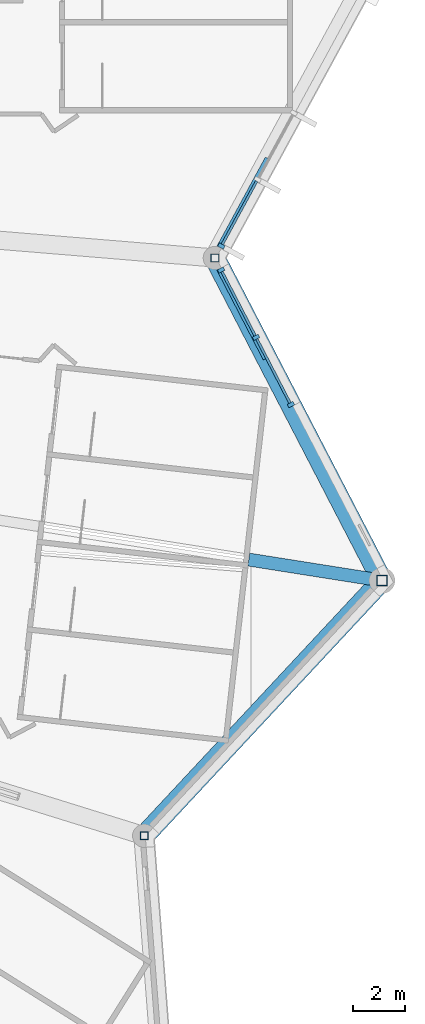
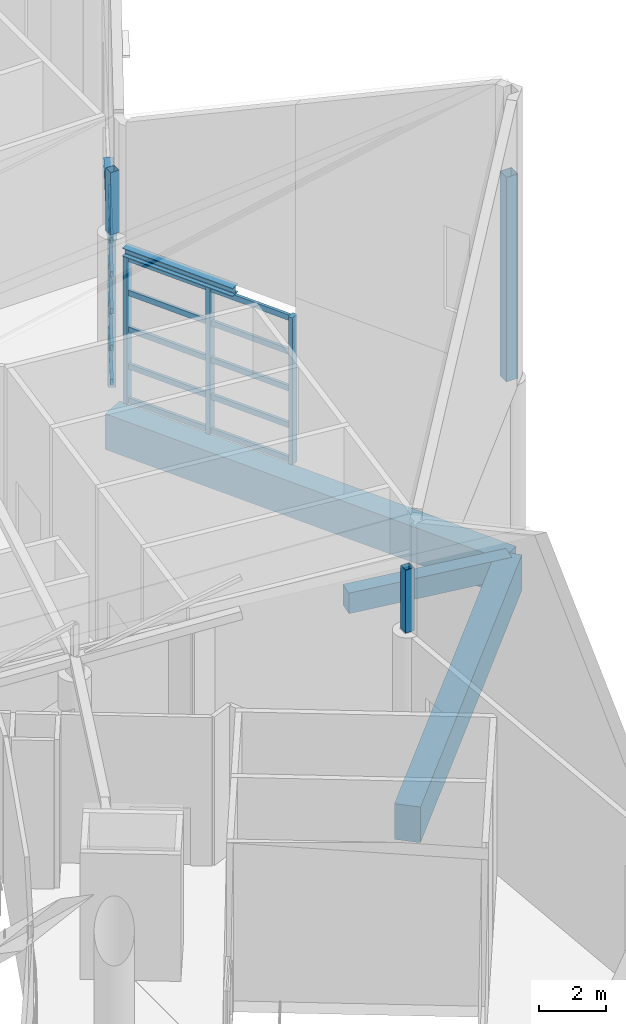
# One storey, part 96 of 344: 22 members, 5 beams, 2 elements without a shape of their own.
"""IFC4 building model written with IfcOpenShell, lengths in metres."""

from ifc_helpers import new_model, si_unit, direction, frame, origin, origin_2d, place, context, subcontext, project, spatial, rectangle, hollow_rectangle, i_section, extrude, material, layer, layer_set, material_profile, profile_set, type_object, element, aggregate, save


model = new_model("IFC4")

# Units and contexts
model_context = context("Model", 3, precision=1e-05, world=origin(), true_north=direction((0.0, 1.0)))
body_context = subcontext(model_context, "Body", "Model", "MODEL_VIEW")
ifc_project = project(units=[si_unit("LENGTHUNIT", "METRE"), si_unit("AREAUNIT", "SQUARE_METRE"), si_unit("VOLUMEUNIT", "CUBIC_METRE"), si_unit("PLANEANGLEUNIT", "RADIAN"), si_unit("MASSUNIT", "GRAM", prefix="KILO")], contexts=[model_context])

# Site, building, storey
site_placement = place(None, origin())
site = spatial("IfcSite", under=ifc_project, at=site_placement, CompositionType="ELEMENT")
building_placement = place(site_placement, origin())
building = spatial("IfcBuilding", under=site, at=building_placement, Name="Meseta Stadium", CompositionType="ELEMENT")
storey_placement = place(building_placement, frame((0.0, 0.0, 24.0)))
storey = spatial("IfcBuildingStorey", under=building, at=storey_placement, Name="L04", CompositionType="ELEMENT", Elevation=24.0)

# Beams
ifc_material_1 = material(Name="Steel S355", Category="steel")
ifc_material_profile_1 = material_profile(ifc_material_1, i_section(OverallWidth=0.300048828125, OverallDepth=0.300048828125, WebThickness=0.010986328125, FlangeThickness=0.01904296875, FilletRadius=0.027099609375, at=origin_2d()), Name="HEB 300")
ifc_profile_set_1 = profile_set([ifc_material_profile_1], Name="Steel S355")
beam_type_1 = type_object("IfcBeamType", Name="Atrium lintel beam HEB 300", PredefinedType="BEAM", material=ifc_profile_set_1)
beam_1_placement = place(storey_placement, frame((94.806884765625, -44.1494140625, 5.5), z_axis=(0.460037579382, -0.887899445633, 0.0), x_axis=(0.887899445633, 0.460037579382, 0.0)))
element("IfcBeam", 1, at=beam_1_placement, inside=storey, type_object=beam_type_1, Name="Atrium lintel beam F00", PredefinedType="BEAM", context=body_context, shape_type="SweptSolid", body=[
    extrude(i_section(OverallWidth=0.300048828125, OverallDepth=0.300048828125, WebThickness=0.010986328125, FlangeThickness=0.01904296875, FilletRadius=0.027099609375, at=origin_2d()), origin(), (0.0, 0.0, 1.0), 3.900146484375),
])
beam_2_placement = place(storey_placement, frame((94.81494140625, -43.354736328125, 5.5), z_axis=(0.47789568686, 0.878416593924, 0.0), x_axis=(-0.878416593924, 0.47789568686, 0.0)))
element("IfcBeam", 2, at=beam_2_placement, inside=storey, type_object=beam_type_1, Name="Atrium lintel beam F01", PredefinedType="BEAM", context=body_context, shape_type="SweptSolid", body=[
    extrude(i_section(OverallWidth=0.300048828125, OverallDepth=0.300048828125, WebThickness=0.010986328125, FlangeThickness=0.01904296875, FilletRadius=0.027099609375, at=origin_2d()), origin(), (0.0, 0.0, 1.0), 3.89990234375),
])

# Curtain wall, members
ifc_material_2 = material(Name="Steel S355", Category="steel")
ifc_layer = layer(ifc_material_2, 0.300048828125)
ifc_layer_set = layer_set([ifc_layer], Name="Valley atrium curtain wall")
curtain_wall_type = type_object("IfcCurtainWallType", Name="Valley atrium curtain wall", PredefinedType="NOTDEFINED", material=ifc_layer_set)
curtain_wall_1_placement = place(storey_placement, origin())
curtain_wall_1 = element("IfcCurtainWall", 3, at=curtain_wall_1_placement, inside=storey, type_object=curtain_wall_type, Name="Valley atrium glazing F00", PredefinedType="NOTDEFINED")
ifc_material_3 = material(Name="Steel S355", Category="steel")
ifc_material_profile_2 = material_profile(ifc_material_3, rectangle(XDim=0.25, YDim=0.14990234375, at=origin_2d()), Name="CW 250x150")
ifc_profile_set_2 = profile_set([ifc_material_profile_2], Name="Steel S355")
member_type_1 = type_object("IfcMemberType", Name="CW mullion bar 250x150", PredefinedType="MULLION", material=ifc_profile_set_2)
member_1_placement = place(storey_placement, frame((97.532470703125, -49.41015625, 0.0), z_axis=(0.0, 0.0, 1.0), x_axis=(-0.887910877066, -0.460015515377, 0.0)))
member_1 = element("IfcMember", 4, at=member_1_placement, type_object=member_type_1, Name="CWA mullion 1", PredefinedType="MULLION", context=body_context, shape_type="SweptSolid", body=[
    extrude(rectangle(XDim=0.25, YDim=0.14990234375, at=origin_2d()), origin(), (0.0, 0.0, 1.0), 5.35009765625),
])
member_2_placement = place(storey_placement, frame((96.18701171875, -46.81298828125, 0.0), z_axis=(0.0, 0.0, 1.0), x_axis=(-0.887910877066, -0.460015515377, 0.0)))
member_2 = element("IfcMember", 5, at=member_2_placement, type_object=member_type_1, Name="CWA mullion 2", PredefinedType="MULLION", context=body_context, shape_type="SweptSolid", body=[
    extrude(rectangle(XDim=0.25, YDim=0.14990234375, at=origin_2d()), origin(), (0.0, 0.0, 1.0), 5.35009765625),
])
member_3_placement = place(storey_placement, frame((94.84130859375, -44.2158203125, 0.0), z_axis=(0.0, 0.0, 1.0), x_axis=(-0.887910877066, -0.460015515377, 0.0)))
member_3 = element("IfcMember", 6, at=member_3_placement, type_object=member_type_1, Name="CWA mullion 3", PredefinedType="MULLION", context=body_context, shape_type="SweptSolid", body=[
    extrude(rectangle(XDim=0.25, YDim=0.14990234375, at=origin_2d()), origin(), (0.0, 0.0, 1.0), 5.35009765625),
])

# Curtain wall, member
curtain_wall_2_placement = place(storey_placement, origin())
curtain_wall_2 = element("IfcCurtainWall", 7, at=curtain_wall_2_placement, inside=storey, type_object=curtain_wall_type, Name="Valley atrium glazing F01", PredefinedType="NOTDEFINED")
member_4_placement = place(storey_placement, frame((94.850830078125, -43.2890625, 0.0), z_axis=(0.0, 0.0, 1.0), x_axis=(-0.8784321511, 0.477867090218, 0.0)))
member_4 = element("IfcMember", 8, at=member_4_placement, type_object=member_type_1, Name="CWA mullion 1", PredefinedType="MULLION", context=body_context, shape_type="SweptSolid", body=[
    extrude(rectangle(XDim=0.25, YDim=0.14990234375, at=origin_2d()), origin(), (0.0, 0.0, 1.0), 5.35009765625),
])

# Member
ifc_material_4 = material(Name="Steel S355", Category="steel")
ifc_material_profile_3 = material_profile(ifc_material_4, hollow_rectangle(XDim=0.10009765625, YDim=0.199951171875, WallThickness=0.008056640625, at=origin_2d()), Name="RHS 200x100x8")
ifc_profile_set_3 = profile_set([ifc_material_profile_3], Name="Steel S355")
member_type_2 = type_object("IfcMemberType", Name="CW transom RHS 200x100x8", PredefinedType="USERDEFINED", material=ifc_profile_set_3)
member_5_placement = place(storey_placement, frame((97.498046875, -49.343505859375, 0.10009765625), z_axis=(-0.460047496365, 0.887894307386, 0.0), x_axis=(-0.887894307386, -0.460047496365, 0.0)))
member_5 = element("IfcMember", 9, at=member_5_placement, type_object=member_type_2, Name="CWA transom 1.1", ObjectType="TRANSOM", PredefinedType="USERDEFINED", context=body_context, shape_type="SweptSolid", body=[
    extrude(hollow_rectangle(XDim=0.10009765625, YDim=0.199951171875, WallThickness=0.008056640625, at=origin_2d()), origin(), (0.0, 0.0, 1.0), 2.77490234375),
])

member_6_placement = place(storey_placement, frame((97.498046875, -49.343505859375, 1.33740234375), z_axis=(-0.460047496365, 0.887894307386, 0.0), x_axis=(-0.887894307386, -0.460047496365, 0.0)))
member_6 = element("IfcMember", 10, at=member_6_placement, type_object=member_type_2, Name="CWA transom 1.2", ObjectType="TRANSOM", PredefinedType="USERDEFINED", context=body_context, shape_type="SweptSolid", body=[
    extrude(hollow_rectangle(XDim=0.10009765625, YDim=0.199951171875, WallThickness=0.008056640625, at=origin_2d()), origin(), (0.0, 0.0, 1.0), 2.77490234375),
])

member_7_placement = place(storey_placement, frame((97.498046875, -49.343505859375, 2.675048828125), z_axis=(-0.460047496365, 0.887894307386, 0.0), x_axis=(-0.887894307386, -0.460047496365, 0.0)))
member_7 = element("IfcMember", 11, at=member_7_placement, type_object=member_type_2, Name="CWA transom 1.3", ObjectType="TRANSOM", PredefinedType="USERDEFINED", context=body_context, shape_type="SweptSolid", body=[
    extrude(hollow_rectangle(XDim=0.10009765625, YDim=0.199951171875, WallThickness=0.008056640625, at=origin_2d()), origin(), (0.0, 0.0, 1.0), 2.77490234375),
])

member_8_placement = place(storey_placement, frame((97.498046875, -49.343505859375, 4.012451171875), z_axis=(-0.460047496365, 0.887894307386, 0.0), x_axis=(-0.887894307386, -0.460047496365, 0.0)))
member_8 = element("IfcMember", 12, at=member_8_placement, type_object=member_type_2, Name="CWA transom 1.4", ObjectType="TRANSOM", PredefinedType="USERDEFINED", context=body_context, shape_type="SweptSolid", body=[
    extrude(hollow_rectangle(XDim=0.10009765625, YDim=0.199951171875, WallThickness=0.008056640625, at=origin_2d()), origin(), (0.0, 0.0, 1.0), 2.77490234375),
])

member_9_placement = place(storey_placement, frame((97.498046875, -49.343505859375, 5.25), z_axis=(-0.460047496365, 0.887894307386, 0.0), x_axis=(-0.887894307386, -0.460047496365, 0.0)))
member_9 = element("IfcMember", 13, at=member_9_placement, type_object=member_type_2, Name="CWA transom 1.5", ObjectType="TRANSOM", PredefinedType="USERDEFINED", context=body_context, shape_type="SweptSolid", body=[
    extrude(hollow_rectangle(XDim=0.10009765625, YDim=0.199951171875, WallThickness=0.008056640625, at=origin_2d()), origin(), (0.0, 0.0, 1.0), 2.77490234375),
])

member_10_placement = place(storey_placement, frame((96.15234375, -46.74658203125, 0.10009765625), z_axis=(-0.459942199987, 0.887948857013, 0.0), x_axis=(-0.887948857013, -0.459942199987, 0.0)))
member_10 = element("IfcMember", 14, at=member_10_placement, type_object=member_type_2, Name="CWA transom 2.1", ObjectType="TRANSOM", PredefinedType="USERDEFINED", context=body_context, shape_type="SweptSolid", body=[
    extrude(hollow_rectangle(XDim=0.10009765625, YDim=0.199951171875, WallThickness=0.008056640625, at=origin_2d()), origin(), (0.0, 0.0, 1.0), 2.775146484375),
])

member_11_placement = place(storey_placement, frame((96.15234375, -46.74658203125, 1.33740234375), z_axis=(-0.459942199987, 0.887948857013, 0.0), x_axis=(-0.887948857013, -0.459942199987, 0.0)))
member_11 = element("IfcMember", 15, at=member_11_placement, type_object=member_type_2, Name="CWA transom 2.2", ObjectType="TRANSOM", PredefinedType="USERDEFINED", context=body_context, shape_type="SweptSolid", body=[
    extrude(hollow_rectangle(XDim=0.10009765625, YDim=0.199951171875, WallThickness=0.008056640625, at=origin_2d()), origin(), (0.0, 0.0, 1.0), 2.775146484375),
])

member_12_placement = place(storey_placement, frame((96.15234375, -46.74658203125, 2.675048828125), z_axis=(-0.459942199987, 0.887948857013, 0.0), x_axis=(-0.887948857013, -0.459942199987, 0.0)))
member_12 = element("IfcMember", 16, at=member_12_placement, type_object=member_type_2, Name="CWA transom 2.3", ObjectType="TRANSOM", PredefinedType="USERDEFINED", context=body_context, shape_type="SweptSolid", body=[
    extrude(hollow_rectangle(XDim=0.10009765625, YDim=0.199951171875, WallThickness=0.008056640625, at=origin_2d()), origin(), (0.0, 0.0, 1.0), 2.775146484375),
])

member_13_placement = place(storey_placement, frame((96.15234375, -46.74658203125, 4.012451171875), z_axis=(-0.459942199987, 0.887948857013, 0.0), x_axis=(-0.887948857013, -0.459942199987, 0.0)))
member_13 = element("IfcMember", 17, at=member_13_placement, type_object=member_type_2, Name="CWA transom 2.4", ObjectType="TRANSOM", PredefinedType="USERDEFINED", context=body_context, shape_type="SweptSolid", body=[
    extrude(hollow_rectangle(XDim=0.10009765625, YDim=0.199951171875, WallThickness=0.008056640625, at=origin_2d()), origin(), (0.0, 0.0, 1.0), 2.775146484375),
])

member_14_placement = place(storey_placement, frame((96.15234375, -46.74658203125, 5.25), z_axis=(-0.459942199987, 0.887948857013, 0.0), x_axis=(-0.887948857013, -0.459942199987, 0.0)))
member_14 = element("IfcMember", 18, at=member_14_placement, type_object=member_type_2, Name="CWA transom 2.5", ObjectType="TRANSOM", PredefinedType="USERDEFINED", context=body_context, shape_type="SweptSolid", body=[
    extrude(hollow_rectangle(XDim=0.10009765625, YDim=0.199951171875, WallThickness=0.008056640625, at=origin_2d()), origin(), (0.0, 0.0, 1.0), 2.775146484375),
])

aggregate(curtain_wall_1, [member_1, member_2, member_3, member_5, member_6, member_7, member_8, member_9, member_10, member_11, member_12, member_13, member_14])

member_15_placement = place(storey_placement, frame((94.88671875, -43.22314453125, 0.10009765625), z_axis=(0.477810063418, 0.878463171281, 0.0), x_axis=(-0.878463171281, 0.477810063418, 0.0)))
member_15 = element("IfcMember", 19, at=member_15_placement, type_object=member_type_2, Name="CWA transom 1.1", ObjectType="TRANSOM", PredefinedType="USERDEFINED", context=body_context, shape_type="SweptSolid", body=[
    extrude(hollow_rectangle(XDim=0.10009765625, YDim=0.199951171875, WallThickness=0.008056640625, at=origin_2d()), origin(), (0.0, 0.0, 1.0), 2.77490234375),
])

member_16_placement = place(storey_placement, frame((94.88671875, -43.22314453125, 1.33740234375), z_axis=(0.477810063418, 0.878463171281, 0.0), x_axis=(-0.878463171281, 0.477810063418, 0.0)))
member_16 = element("IfcMember", 20, at=member_16_placement, type_object=member_type_2, Name="CWA transom 1.2", ObjectType="TRANSOM", PredefinedType="USERDEFINED", context=body_context, shape_type="SweptSolid", body=[
    extrude(hollow_rectangle(XDim=0.10009765625, YDim=0.199951171875, WallThickness=0.008056640625, at=origin_2d()), origin(), (0.0, 0.0, 1.0), 2.77490234375),
])

member_17_placement = place(storey_placement, frame((94.88671875, -43.22314453125, 2.675048828125), z_axis=(0.477810063418, 0.878463171281, 0.0), x_axis=(-0.878463171281, 0.477810063418, 0.0)))
member_17 = element("IfcMember", 21, at=member_17_placement, type_object=member_type_2, Name="CWA transom 1.3", ObjectType="TRANSOM", PredefinedType="USERDEFINED", context=body_context, shape_type="SweptSolid", body=[
    extrude(hollow_rectangle(XDim=0.10009765625, YDim=0.199951171875, WallThickness=0.008056640625, at=origin_2d()), origin(), (0.0, 0.0, 1.0), 2.77490234375),
])

member_18_placement = place(storey_placement, frame((94.88671875, -43.22314453125, 4.012451171875), z_axis=(0.477810063418, 0.878463171281, 0.0), x_axis=(-0.878463171281, 0.477810063418, 0.0)))
member_18 = element("IfcMember", 22, at=member_18_placement, type_object=member_type_2, Name="CWA transom 1.4", ObjectType="TRANSOM", PredefinedType="USERDEFINED", context=body_context, shape_type="SweptSolid", body=[
    extrude(hollow_rectangle(XDim=0.10009765625, YDim=0.199951171875, WallThickness=0.008056640625, at=origin_2d()), origin(), (0.0, 0.0, 1.0), 2.77490234375),
])

member_19_placement = place(storey_placement, frame((94.88671875, -43.22314453125, 5.25), z_axis=(0.477810063418, 0.878463171281, 0.0), x_axis=(-0.878463171281, 0.477810063418, 0.0)))
member_19 = element("IfcMember", 23, at=member_19_placement, type_object=member_type_2, Name="CWA transom 1.5", ObjectType="TRANSOM", PredefinedType="USERDEFINED", context=body_context, shape_type="SweptSolid", body=[
    extrude(hollow_rectangle(XDim=0.10009765625, YDim=0.199951171875, WallThickness=0.008056640625, at=origin_2d()), origin(), (0.0, 0.0, 1.0), 2.77490234375),
])

aggregate(curtain_wall_2, [member_4, member_15, member_16, member_17, member_18, member_19])

# Beams
ifc_material_5 = material(Name="Concrete C40/50", Category="concrete")
ifc_material_profile_4 = material_profile(ifc_material_5, rectangle(XDim=0.5, YDim=0.75, at=origin_2d()), Name="RC 500x750")
ifc_profile_set_4 = profile_set([ifc_material_profile_4], Name="Concrete C40/50")
beam_type_2 = type_object("IfcBeamType", Name="RC beam 500x750", PredefinedType="BEAM", material=ifc_profile_set_4)
beam_3_placement = place(storey_placement, frame((95.910400390625, -55.390380859375, -0.77490234375), z_axis=(0.987742039994, -0.156095042932, 0.0), x_axis=(0.156095042932, 0.987742039994, 0.0)))
element("IfcBeam", 24, at=beam_3_placement, inside=storey, type_object=beam_type_2, Name="L04 radial beam frame 0 line P to R", PredefinedType="BEAM", context=body_context, shape_type="SweptSolid", body=[
    extrude(rectangle(XDim=0.5, YDim=0.75, at=origin_2d()), origin(), (0.0, 0.0, 1.0), 5.205078125),
])
ifc_material_6 = material(Name="Concrete C40/50", Category="concrete")
ifc_material_profile_5 = material_profile(ifc_material_6, rectangle(XDim=0.800048828125, YDim=1.300048828125, at=origin_2d()), Name="RC 800x1300")
ifc_profile_set_5 = profile_set([ifc_material_profile_5], Name="Concrete C40/50")
beam_type_3 = type_object("IfcBeamType", Name="RC beam 800x1300", PredefinedType="BEAM", material=ifc_profile_set_5)
beam_4_placement = place(storey_placement, frame((101.0517578125, -56.202880859375, -1.050048828125), z_axis=(-0.460014301189, 0.887911506121, 0.0), x_axis=(-0.887911506121, -0.460014301189, 0.0)))
element("IfcBeam", 25, at=beam_4_placement, inside=storey, type_object=beam_type_3, Name="L04 ring beam frame 0 line R", PredefinedType="BEAM", context=body_context, shape_type="SweptSolid", body=[
    extrude(rectangle(XDim=0.800048828125, YDim=1.300048828125, at=origin_2d()), origin(), (0.0, 0.0, 1.0), 14.02490234375),
])
beam_5_placement = place(storey_placement, frame((91.872802734375, -66.051513671875, -1.050048828125), z_axis=(0.681797952889, 0.73154053301, 0.0), x_axis=(-0.73154053301, 0.681797952889, 0.0)))
element("IfcBeam", 26, at=beam_5_placement, inside=storey, type_object=beam_type_3, Name="L04 ring beam frame 55 line R", PredefinedType="BEAM", context=body_context, shape_type="SweptSolid", body=[
    extrude(rectangle(XDim=0.800048828125, YDim=1.300048828125, at=origin_2d()), origin(), (0.0, 0.0, 1.0), 13.462890625),
])

# Members
ifc_material_7 = material(Name="Steel S355", Category="steel")
ifc_material_profile_6 = material_profile(ifc_material_7, hollow_rectangle(XDim=0.300048828125, YDim=0.300048828125, WallThickness=0.010009765625, at=origin_2d()), Name="SHS 300x300x10")
ifc_profile_set_6 = profile_set([ifc_material_profile_6], Name="Steel S355")
member_type_3 = type_object("IfcMemberType", Name="SHS 300x300x10 rim post", PredefinedType="POST", material=ifc_profile_set_6)
member_20_placement = place(storey_placement, frame((94.60009765625, -43.75, 6.0), z_axis=(0.0, 0.0, 1.0), x_axis=(1.0, 0.0, 0.0)))
element("IfcMember", 27, at=member_20_placement, inside=storey, type_object=member_type_3, Name="ROOF RIM POST RT-01", PredefinedType="POST", context=body_context, shape_type="SweptSolid", body=[
    extrude(hollow_rectangle(XDim=0.300048828125, YDim=0.300048828125, WallThickness=0.010009765625, at=origin_2d()), origin(), (0.0, 0.0, 1.0), 2.26708984375),
])
member_21_placement = place(storey_placement, frame((91.872802734375, -66.051513671875, 6.0), z_axis=(0.0, 0.0, 1.0), x_axis=(1.0, 0.0, 0.0)))
element("IfcMember", 28, at=member_21_placement, inside=storey, type_object=member_type_3, Name="ROOF RIM POST RT-55", PredefinedType="POST", context=body_context, shape_type="SweptSolid", body=[
    extrude(hollow_rectangle(XDim=0.300048828125, YDim=0.300048828125, WallThickness=0.010009765625, at=origin_2d()), origin(), (0.0, 0.0, 1.0), 2.2919921875),
])
ifc_material_8 = material(Name="Steel S355", Category="steel")
ifc_material_profile_7 = material_profile(ifc_material_8, hollow_rectangle(XDim=0.39990234375, YDim=0.39990234375, WallThickness=0.01416015625, at=origin_2d()), Name="SHS 400x400x14.2")
ifc_profile_set_7 = profile_set([ifc_material_profile_7], Name="Steel S355")
member_type_4 = type_object("IfcMemberType", Name="SHS 400x400x14.2 rim post", PredefinedType="POST", material=ifc_profile_set_7)
member_22_placement = place(storey_placement, frame((101.0517578125, -56.202880859375, 6.0), z_axis=(0.0, 0.0, 1.0), x_axis=(1.0, 0.0, 0.0)))
element("IfcMember", 29, at=member_22_placement, inside=storey, type_object=member_type_4, Name="ROOF RIM POST RT-00", PredefinedType="POST", context=body_context, shape_type="SweptSolid", body=[
    extrude(hollow_rectangle(XDim=0.39990234375, YDim=0.39990234375, WallThickness=0.01416015625, at=origin_2d()), origin(), (0.0, 0.0, 1.0), 7.43505859375),
])

save(model, "model.ifc")
